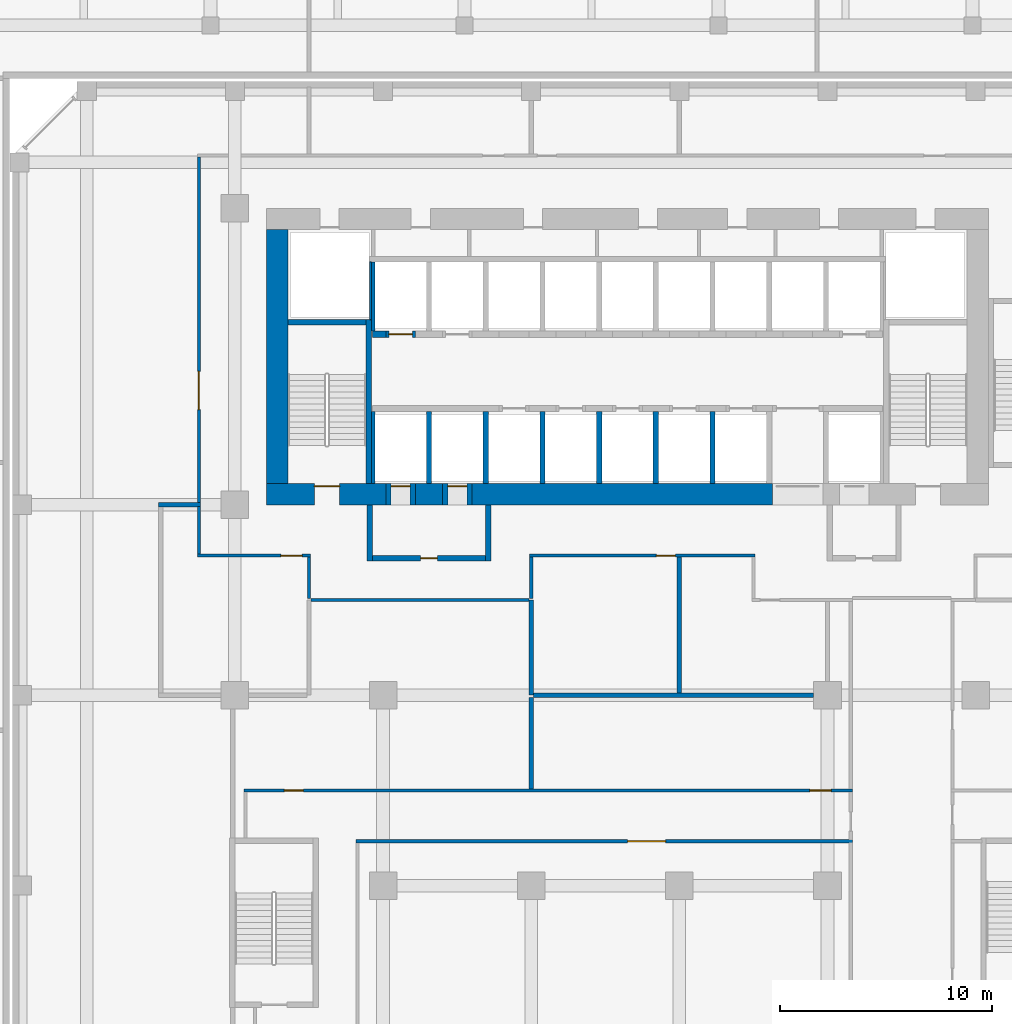
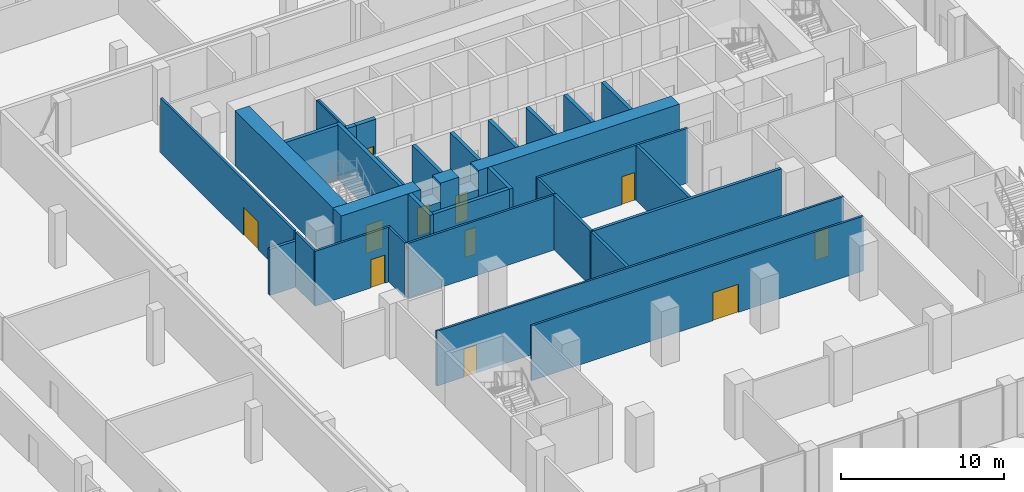
# One storey, part 21 of 38: 36 walls, 11 doors, 11 openings.
"""IFC4 building model written with IfcOpenShell, lengths in metres."""

from ifc_helpers import new_model, si_unit, direction, frame, frame_2d, origin, place, context, subcontext, project, spatial, rectangle, extrude, source, transform, mapped, material, layer, layer_set, type_object, element, fill, save


model = new_model("IFC4")

# Units and contexts
model_context = context("Model", 3, precision=1e-05, world=origin(), true_north=direction((0.0, 1.0)))
body_context = subcontext(model_context, "Body", "Model", "MODEL_VIEW")
ifc_project = project(units=[si_unit("LENGTHUNIT", "METRE"), si_unit("AREAUNIT", "SQUARE_METRE"), si_unit("VOLUMEUNIT", "CUBIC_METRE"), si_unit("PLANEANGLEUNIT", "RADIAN"), si_unit("MASSUNIT", "GRAM", prefix="KILO")], contexts=[model_context])

# Site, building, storey
site_placement = place(None, origin())
site = spatial("IfcSite", under=ifc_project, at=site_placement, CompositionType="ELEMENT")
building_placement = place(site_placement, origin())
building = spatial("IfcBuilding", under=site, at=building_placement, Name="Kilnfold Tower and Market Hall", CompositionType="ELEMENT")
storey_placement = place(building_placement, frame((0.0, 0.0, 9.0)))
storey = spatial("IfcBuildingStorey", under=building, at=storey_placement, Name="L01", CompositionType="ELEMENT", Elevation=9.0)

# Wall, opening, door
ifc_material_1 = material(Name="Gypsum board on steel studs", Category="steel")
ifc_layer_1 = layer(ifc_material_1, 0.14990234375)
ifc_layer_set_1 = layer_set([ifc_layer_1], Name="Gypsum board on steel studs")
wall_type_1 = type_object("IfcWallType", Name="WALL CORRIDOR 150", PredefinedType="PARTITIONING", material=ifc_layer_set_1)
wall_1_placement = place(storey_placement, frame((-11.77490234375, -7.89990234375, 0.0), z_axis=(0.0, 0.0, 1.0), x_axis=(1.0, 0.0, 0.0)))
wall_1 = element("IfcWall", 1, at=wall_1_placement, inside=storey, type_object=wall_type_1, Name="Partition LY02.19", PredefinedType="PARTITIONING", context=body_context, shape_type="SweptSolid", body=[
    extrude(rectangle(XDim=23.449951171875, YDim=0.14990234375, at=frame_2d((11.72509765625, 0.0))), origin(), (0.0, 0.0, 1.0), 4.10009765625),
])
opening_1_placement = place(wall_1_placement, frame((12.830078125, 0.0, 0.0)))
opening_1 = element("IfcOpeningElement", 2, at=opening_1_placement, cuts=wall_1, Name="Opening D5", PredefinedType="OPENING", context=body_context, shape_type="SweptSolid", body=[
    extrude(rectangle(XDim=1.800048828125, YDim=2.10009765625, at=frame_2d((0.89990234375, 1.050048828125))), frame((0.0, 0.0849609375, 0.0), z_axis=(0.0, -1.0, 0.0), x_axis=(1.0, 0.0, 0.0)), (0.0, 0.0, 1.0), 0.169921875),
])
ifc_material_2 = material(Name="Timber veneer door leaf in steel frame", Category="steel")
door_type_1 = type_object("IfcDoorType", Name="DOOR DOUBLE 1800 X2100", OperationType="NOTDEFINED", PredefinedType="DOOR", material=ifc_material_2)
door_1_placement = place(opening_1_placement, origin())
door_1 = element("IfcDoor", 3, at=door_1_placement, inside=storey, type_object=door_type_1, Name="Door D5", OperationType="DOUBLE_DOOR_SINGLE_SWING", OverallHeight=2.10009765625, OverallWidth=1.800048828125, PredefinedType="DOOR", context=body_context, shape_type="SweptSolid", body=[
    extrude(rectangle(XDim=1.800048828125, YDim=2.10009765625, at=frame_2d((0.89990234375, 1.050048828125))), frame((0.0, 0.02490234375, 0.0), z_axis=(0.0, -1.0, 0.0), x_axis=(1.0, 0.0, 0.0)), (0.0, 0.0, 1.0), 0.050048828125),
])
fill(opening_1, door_1)

# Wall, openings, doors
wall_2_placement = place(storey_placement, frame((-17.074951171875, -5.5, 0.0), z_axis=(0.0, 0.0, 1.0), x_axis=(1.0, 0.0, 0.0)))
wall_2 = element("IfcWall", 4, at=wall_2_placement, inside=storey, type_object=wall_type_1, Name="Partition LY02.24", PredefinedType="PARTITIONING", context=body_context, shape_type="SweptSolid", body=[
    extrude(rectangle(XDim=28.75, YDim=0.14990234375, at=frame_2d((14.375, 0.0))), origin(), (0.0, 0.0, 1.0), 4.10009765625),
])
opening_2_placement = place(wall_2_placement, frame((1.912109375, 0.0, 0.0)))
opening_2 = element("IfcOpeningElement", 5, at=opening_2_placement, cuts=wall_2, Name="Opening D2", PredefinedType="OPENING", context=body_context, shape_type="SweptSolid", body=[
    extrude(rectangle(XDim=0.89990234375, YDim=2.10009765625, at=frame_2d((0.449951171875, 1.050048828125))), frame((0.0, 0.0849609375, 0.0), z_axis=(0.0, -1.0, 0.0), x_axis=(1.0, 0.0, 0.0)), (0.0, 0.0, 1.0), 0.169921875),
])
opening_3_placement = place(wall_2_placement, frame((26.7451171875, 0.0, 0.0)))
opening_3 = element("IfcOpeningElement", 6, at=opening_3_placement, cuts=wall_2, Name="Opening D1", PredefinedType="OPENING", context=body_context, shape_type="SweptSolid", body=[
    extrude(rectangle(XDim=1.0, YDim=2.10009765625, at=frame_2d((0.5, 1.050048828125))), frame((0.0, 0.0849609375, 0.0), z_axis=(0.0, -1.0, 0.0), x_axis=(1.0, 0.0, 0.0)), (0.0, 0.0, 1.0), 0.169921875),
])
ifc_material_3 = material(Name="Timber veneer door leaf in steel frame", Category="steel")
door_type_2 = type_object("IfcDoorType", Name="DOOR ENTRY 1000 X2100", OperationType="NOTDEFINED", PredefinedType="DOOR", material=ifc_material_3)
door_2_placement = place(opening_3_placement, origin())
door_2 = element("IfcDoor", 7, at=door_2_placement, inside=storey, type_object=door_type_2, Name="Door D1", OperationType="SINGLE_SWING_LEFT", OverallHeight=2.10009765625, OverallWidth=1.0, PredefinedType="DOOR", context=body_context, shape_type="SweptSolid", body=[
    extrude(rectangle(XDim=1.0, YDim=2.10009765625, at=frame_2d((0.5, 1.050048828125))), frame((0.0, 0.02490234375, 0.0), z_axis=(0.0, -1.0, 0.0), x_axis=(1.0, 0.0, 0.0)), (0.0, 0.0, 1.0), 0.050048828125),
])
fill(opening_3, door_2)
ifc_material_4 = material(Name="Timber veneer door leaf in steel frame", Category="steel")
door_type_3 = type_object("IfcDoorType", Name="DOOR ROOM 900 X2100", OperationType="NOTDEFINED", PredefinedType="DOOR", material=ifc_material_4)
door_3_placement = place(opening_2_placement, origin())
door_3 = element("IfcDoor", 8, at=door_3_placement, inside=storey, type_object=door_type_3, Name="Door D2", OperationType="SINGLE_SWING_RIGHT", OverallHeight=2.10009765625, OverallWidth=0.89990234375, PredefinedType="DOOR", context=body_context, shape_type="SweptSolid", body=[
    extrude(rectangle(XDim=0.89990234375, YDim=2.10009765625, at=frame_2d((0.449951171875, 1.050048828125))), frame((0.0, 0.02490234375, 0.0), z_axis=(0.0, -1.0, 0.0), x_axis=(1.0, 0.0, 0.0)), (0.0, 0.0, 1.0), 0.050048828125),
])
fill(opening_2, door_3)

# Wall, opening, door
wall_3_placement = place(storey_placement, frame((-19.199951171875, 8.090087890625, 0.0), z_axis=(0.0, 0.0, 1.0), x_axis=(0.0, 1.0, 0.0)))
wall_3 = element("IfcWall", 9, at=wall_3_placement, inside=storey, type_object=wall_type_1, Name="Partition LY02.27", PredefinedType="PARTITIONING", context=body_context, shape_type="SweptSolid", body=[
    extrude(rectangle(XDim=16.3349609375, YDim=0.14990234375, at=frame_2d((8.16748046875, 0.0))), origin(), (0.0, 0.0, 1.0), 4.10009765625),
])
opening_4_placement = place(wall_3_placement, frame((4.409912109375, 0.0, 0.0)))
opening_4 = element("IfcOpeningElement", 10, at=opening_4_placement, cuts=wall_3, Name="Opening D5", PredefinedType="OPENING", context=body_context, shape_type="SweptSolid", body=[
    extrude(rectangle(XDim=1.800048828125, YDim=2.10009765625, at=frame_2d((0.89990234375, 1.050048828125))), frame((0.0, 0.0849609375, 0.0), z_axis=(0.0, -1.0, 0.0), x_axis=(1.0, 0.0, 0.0)), (0.0, 0.0, 1.0), 0.169921875),
])
door_4_placement = place(opening_4_placement, origin())
door_4 = element("IfcDoor", 11, at=door_4_placement, inside=storey, type_object=door_type_1, Name="Door D5", OperationType="DOUBLE_DOOR_SINGLE_SWING", OverallHeight=2.10009765625, OverallWidth=1.800048828125, PredefinedType="DOOR", context=body_context, shape_type="SweptSolid", body=[
    extrude(rectangle(XDim=1.800048828125, YDim=2.10009765625, at=frame_2d((0.89990234375, 1.050048828125))), frame((0.0, 0.02490234375, 0.0), z_axis=(0.0, -1.0, 0.0), x_axis=(1.0, 0.0, 0.0)), (0.0, 0.0, 1.0), 0.050048828125),
])
fill(opening_4, door_4)

# Wall
wall_4_placement = place(storey_placement, frame((-14.0, 5.52490234375, 0.0), z_axis=(0.0, 0.0, 1.0), x_axis=(0.0, -1.0, 0.0)))
element("IfcWall", 12, at=wall_4_placement, inside=storey, type_object=wall_type_1, Name="Partition LY02.29", PredefinedType="PARTITIONING", context=body_context, shape_type="SweptSolid", body=[
    extrude(rectangle(XDim=1.949951171875, YDim=0.14990234375, at=frame_2d((0.97509765625, 0.0))), origin(), (0.0, 0.0, 1.0), 4.10009765625),
])

# Wall, opening, door
wall_5_placement = place(storey_placement, frame((-19.27490234375, 5.60009765625, 0.0), z_axis=(0.0, 0.0, 1.0), x_axis=(1.0, 0.0, 0.0)))
wall_5 = element("IfcWall", 13, at=wall_5_placement, inside=storey, type_object=wall_type_1, Name="Partition LY02.30", PredefinedType="PARTITIONING", context=body_context, shape_type="SweptSolid", body=[
    extrude(rectangle(XDim=5.349853515625, YDim=0.14990234375, at=frame_2d((2.6748046875, 0.0))), origin(), (0.0, 0.0, 1.0), 4.10009765625),
])
opening_5_placement = place(wall_5_placement, frame((3.947021484375, 0.0, 0.0)))
opening_5 = element("IfcOpeningElement", 14, at=opening_5_placement, cuts=wall_5, Name="Opening D1", PredefinedType="OPENING", context=body_context, shape_type="SweptSolid", body=[
    extrude(rectangle(XDim=1.0, YDim=2.10009765625, at=frame_2d((0.5, 1.050048828125))), frame((0.0, 0.0849609375, 0.0), z_axis=(0.0, -1.0, 0.0), x_axis=(1.0, 0.0, 0.0)), (0.0, 0.0, 1.0), 0.169921875),
])
door_5_placement = place(opening_5_placement, origin())
door_5 = element("IfcDoor", 15, at=door_5_placement, inside=storey, type_object=door_type_2, Name="Door D1", OperationType="SINGLE_SWING_RIGHT", OverallHeight=2.10009765625, OverallWidth=1.0, PredefinedType="DOOR", context=body_context, shape_type="SweptSolid", body=[
    extrude(rectangle(XDim=1.0, YDim=2.10009765625, at=frame_2d((0.5, 1.050048828125))), frame((0.0, 0.02490234375, 0.0), z_axis=(0.0, -1.0, 0.0), x_axis=(1.0, 0.0, 0.0)), (0.0, 0.0, 1.0), 0.050048828125),
])
fill(opening_5, door_5)

# Wall
wall_6_placement = place(storey_placement, frame((-19.199951171875, 5.675048828125, 0.0), z_axis=(0.0, 0.0, 1.0), x_axis=(0.0, 1.0, 0.0)))
element("IfcWall", 16, at=wall_6_placement, inside=storey, type_object=wall_type_1, Name="Partition LY02.31", PredefinedType="PARTITIONING", context=body_context, shape_type="SweptSolid", body=[
    extrude(rectangle(XDim=2.23486328125, YDim=0.14990234375, at=frame_2d((1.117431640625, 0.0))), origin(), (0.0, 0.0, 1.0), 4.10009765625),
])

# Wall, opening, door
wall_7_placement = place(storey_placement, frame((-3.574951171875, 5.60009765625, 0.0), z_axis=(0.0, 0.0, 1.0), x_axis=(1.0, 0.0, 0.0)))
wall_7 = element("IfcWall", 17, at=wall_7_placement, inside=storey, type_object=wall_type_1, Name="Partition LY02.32", PredefinedType="PARTITIONING", context=body_context, shape_type="SweptSolid", body=[
    extrude(rectangle(XDim=10.64990234375, YDim=0.14990234375, at=frame_2d((5.324951171875, 0.0))), origin(), (0.0, 0.0, 1.0), 4.10009765625),
])
opening_6_placement = place(wall_7_placement, frame((5.985107421875, 0.0, 0.0)))
opening_6 = element("IfcOpeningElement", 18, at=opening_6_placement, cuts=wall_7, Name="Opening D2", PredefinedType="OPENING", context=body_context, shape_type="SweptSolid", body=[
    extrude(rectangle(XDim=0.89990234375, YDim=2.10009765625, at=frame_2d((0.449951171875, 1.050048828125))), frame((0.0, 0.0849609375, 0.0), z_axis=(0.0, -1.0, 0.0), x_axis=(1.0, 0.0, 0.0)), (0.0, 0.0, 1.0), 0.169921875),
])
door_6_placement = place(opening_6_placement, origin())
door_6 = element("IfcDoor", 19, at=door_6_placement, inside=storey, type_object=door_type_3, Name="Door D2", OperationType="SINGLE_SWING_RIGHT", OverallHeight=2.10009765625, OverallWidth=0.89990234375, PredefinedType="DOOR", context=body_context, shape_type="SweptSolid", body=[
    extrude(rectangle(XDim=0.89990234375, YDim=2.10009765625, at=frame_2d((0.449951171875, 1.050048828125))), frame((0.0, 0.02490234375, 0.0), z_axis=(0.0, -1.0, 0.0), x_axis=(1.0, 0.0, 0.0)), (0.0, 0.0, 1.0), 0.050048828125),
])
fill(opening_6, door_6)

# Walls
wall_8_placement = place(storey_placement, frame((-3.5, 3.574951171875, 0.0), z_axis=(0.0, 0.0, 1.0), x_axis=(0.0, 1.0, 0.0)))
element("IfcWall", 20, at=wall_8_placement, inside=storey, type_object=wall_type_1, Name="Partition LY02.33", PredefinedType="PARTITIONING", context=body_context, shape_type="SweptSolid", body=[
    extrude(rectangle(XDim=1.949951171875, YDim=0.14990234375, at=frame_2d((0.97509765625, 0.0))), origin(), (0.0, 0.0, 1.0), 4.10009765625),
])
wall_9_placement = place(storey_placement, frame((-13.90087890625, 3.5, 0.0), z_axis=(0.0, 0.0, 1.0), x_axis=(1.0, 0.0, 0.0)))
element("IfcWall", 21, at=wall_9_placement, inside=storey, type_object=wall_type_1, Name="Partition LY02.42", PredefinedType="PARTITIONING", context=body_context, shape_type="SweptSolid", body=[
    extrude(rectangle(XDim=10.3017578125, YDim=0.14990234375, at=frame_2d((5.15087890625, 0.0))), origin(), (0.0, 0.0, 1.0), 4.10009765625),
])
ifc_material_5 = material(Name="Gypsum board on steel studs", Category="steel")
ifc_layer_2 = layer(ifc_material_5, 0.199951171875)
ifc_layer_set_2 = layer_set([ifc_layer_2], Name="Gypsum board on steel studs")
wall_type_2 = type_object("IfcWallType", Name="WALL PARTY 200", PredefinedType="PARTITIONING", material=ifc_layer_set_2)
wall_10_placement = place(storey_placement, frame((-21.09912109375, 8.0, 0.0), z_axis=(0.0, 0.0, 1.0), x_axis=(1.0, 0.0, 0.0)))
element("IfcWall", 22, at=wall_10_placement, inside=storey, type_object=wall_type_2, Name="Partition LY02.43", PredefinedType="PARTITIONING", context=body_context, shape_type="SweptSolid", body=[
    extrude(rectangle(XDim=1.97314453125, YDim=0.199951171875, at=frame_2d((0.986572265625, 0.0))), origin(), (0.0, 0.0, 1.0), 3.449951171875),
])
wall_11_placement = place(storey_placement, frame((3.5, -0.89990234375, 0.0), z_axis=(0.0, 0.0, 1.0), x_axis=(0.0, 1.0, 0.0)))
element("IfcWall", 23, at=wall_11_placement, inside=storey, type_object=wall_type_2, Name="Partition LY02.53", PredefinedType="PARTITIONING", context=body_context, shape_type="SweptSolid", body=[
    extrude(rectangle(XDim=6.423828125, YDim=0.199951171875, at=frame_2d((3.2119140625, 0.0))), origin(), (0.0, 0.0, 1.0), 4.10009765625),
])
wall_12_placement = place(storey_placement, frame((-3.39990234375, -1.0, 0.0), z_axis=(0.0, 0.0, 1.0), x_axis=(1.0, 0.0, 0.0)))
element("IfcWall", 24, at=wall_12_placement, inside=storey, type_object=wall_type_2, Name="Partition LY02.54", PredefinedType="PARTITIONING", context=body_context, shape_type="SweptSolid", body=[
    extrude(rectangle(XDim=13.25, YDim=0.199951171875, at=frame_2d((6.625, 0.0))), origin(), (0.0, 0.0, 1.0), 4.10009765625),
])
wall_13_placement = place(storey_placement, frame((-3.4990234375, 3.509033203125, 0.0), z_axis=(0.0, 0.0, 1.0), x_axis=(-0.000216579128, -0.999999976547, 0.0)))
element("IfcWall", 25, at=wall_13_placement, inside=storey, type_object=wall_type_2, Name="Partition LY02.55", PredefinedType="PARTITIONING", context=body_context, shape_type="SweptSolid", body=[
    extrude(rectangle(XDim=4.509033203125, YDim=0.199951171875, at=frame_2d((2.25439453125, 0.0))), origin(), (0.0, 0.0, 1.0), 4.10009765625),
])
wall_14_placement = place(storey_placement, frame((-3.5, -5.424072265625, 0.0), z_axis=(0.0, 0.0, 1.0), x_axis=(0.0, 1.0, 0.0)))
element("IfcWall", 26, at=wall_14_placement, inside=storey, type_object=wall_type_2, Name="Partition LY02.61", PredefinedType="PARTITIONING", context=body_context, shape_type="SweptSolid", body=[
    extrude(rectangle(XDim=4.323974609375, YDim=0.199951171875, at=frame_2d((2.162109375, 0.0))), origin(), (0.0, 0.0, 1.0), 4.10009765625),
])

# Wall, opening, door
ifc_material_6 = material(Name="Concrete C80", Category="concrete")
ifc_layer_3 = layer(ifc_material_6, 1.0)
ifc_layer_set_3 = layer_set([ifc_layer_3], Name="Concrete C80")
wall_type_3 = type_object("IfcWallType", Name="CORE WALL 1000 C80", PredefinedType="SHEAR", material=ifc_layer_set_3)
shared_shape_1 = source(origin(), body_context, "Body", "SweptSolid", [
    extrude(rectangle(XDim=5.6298828125, YDim=1.0, at=frame_2d((2.81494140625, 0.0))), origin(), (0.0, 0.0, 1.0), 4.10009765625),
])
wall_15_placement = place(storey_placement, frame((-16.0, 8.5, 0.0), z_axis=(0.0, 0.0, 1.0), x_axis=(1.0, 0.0, 0.0)))
wall_15 = element("IfcWall", 27, at=wall_15_placement, inside=storey, type_object=wall_type_3, Name="Core outer wall south", PredefinedType="SHEAR", context=body_context, shape_type="MappedRepresentation", body=[
    mapped(shared_shape_1, transform((0.0, 0.0, 0.0))),
])
opening_7_placement = place(wall_15_placement, frame((2.25, 0.0, 0.0)))
opening_7 = element("IfcOpeningElement", 28, at=opening_7_placement, cuts=wall_15, Name="Opening SD1", PredefinedType="OPENING", context=body_context, shape_type="SweptSolid", body=[
    extrude(rectangle(XDim=1.199951171875, YDim=2.10009765625, at=frame_2d((0.60009765625, 1.050048828125))), frame((0.0, 0.510009765625, 0.0), z_axis=(0.0, -1.0, 0.0), x_axis=(1.0, 0.0, 0.0)), (0.0, 0.0, 1.0), 1.02001953125),
])
ifc_material_7 = material(Name="Steel door set with fire-resisting leaf", Category="steel")
door_type_4 = type_object("IfcDoorType", Name="STAIR FLOOR DOOR 1200X2100", OperationType="NOTDEFINED", PredefinedType="DOOR", material=ifc_material_7)
door_7_placement = place(opening_7_placement, origin())
door_7 = element("IfcDoor", 29, at=door_7_placement, inside=storey, type_object=door_type_4, Name="Exit stair ST1 door", OperationType="DOUBLE_DOOR_SINGLE_SWING", OverallHeight=2.10009765625, OverallWidth=1.199951171875, PredefinedType="DOOR", context=body_context, shape_type="SweptSolid", body=[
    extrude(rectangle(XDim=1.199951171875, YDim=2.10009765625, at=frame_2d((0.60009765625, 1.050048828125))), frame((0.0, 0.40478515625, 0.0), z_axis=(0.0, -1.0, 0.0), x_axis=(1.0, 0.0, 0.0)), (0.0, 0.0, 1.0), 0.050048828125),
])
fill(opening_7, door_7)

# Walls
shared_shape_2 = source(origin(), body_context, "Body", "SweptSolid", [
    extrude(rectangle(XDim=1.280029296875, YDim=1.0, at=frame_2d((0.64013671875, 0.0))), origin(), (0.0, 0.0, 1.0), 4.10009765625),
])
wall_16_placement = place(storey_placement, frame((-8.969970703125, 8.5, 0.0), z_axis=(0.0, 0.0, 1.0), x_axis=(1.0, 0.0, 0.0)))
element("IfcWall", 30, at=wall_16_placement, inside=storey, type_object=wall_type_3, Name="Core outer wall south", PredefinedType="SHEAR", context=body_context, shape_type="MappedRepresentation", body=[
    mapped(shared_shape_2, transform((0.0, 0.0, 0.0))),
])
shared_shape_3 = source(origin(), body_context, "Body", "SweptSolid", [
    extrude(rectangle(XDim=14.179931640625, YDim=1.0, at=frame_2d((7.08984375, 0.0))), origin(), (0.0, 0.0, 1.0), 4.10009765625),
])
wall_17_placement = place(storey_placement, frame((-6.2900390625, 8.5, 0.0), z_axis=(0.0, 0.0, 1.0), x_axis=(1.0, 0.0, 0.0)))
element("IfcWall", 31, at=wall_17_placement, inside=storey, type_object=wall_type_3, Name="Core outer wall south", PredefinedType="SHEAR", context=body_context, shape_type="MappedRepresentation", body=[
    mapped(shared_shape_3, transform((0.0, 0.0, 0.0))),
])
shared_shape_4 = source(origin(), body_context, "Body", "SweptSolid", [
    extrude(rectangle(XDim=12.0, YDim=1.0, at=frame_2d((6.0, 0.0))), origin(), (0.0, 0.0, 1.0), 4.10009765625),
])
wall_18_placement = place(storey_placement, frame((-15.5, 9.0, 0.0), z_axis=(0.0, 0.0, 1.0), x_axis=(0.0, 1.0, 0.0)))
element("IfcWall", 32, at=wall_18_placement, inside=storey, type_object=wall_type_3, Name="Core outer wall west", PredefinedType="SHEAR", context=body_context, shape_type="MappedRepresentation", body=[
    mapped(shared_shape_4, transform((0.0, 0.0, 0.0))),
])
ifc_material_8 = material(Name="Concrete C80", Category="concrete")
ifc_layer_4 = layer(ifc_material_8, 0.25)
ifc_layer_set_4 = layer_set([ifc_layer_4], Name="Concrete C80")
wall_type_4 = type_object("IfcWallType", Name="CORE WALL 250 C80", PredefinedType="SHEAR", material=ifc_layer_set_4)
shared_shape_5 = source(origin(), body_context, "Body", "SweptSolid", [
    extrude(rectangle(XDim=7.75, YDim=0.25, at=frame_2d((3.875, 0.0))), origin(), (0.0, 0.0, 1.0), 4.10009765625),
])
wall_19_placement = place(storey_placement, frame((-11.175048828125, 9.0, 0.0), z_axis=(0.0, 0.0, 1.0), x_axis=(0.0, 1.0, 0.0)))
element("IfcWall", 33, at=wall_19_placement, inside=storey, type_object=wall_type_4, Name="Stair enclosure ST1", PredefinedType="SHEAR", context=body_context, shape_type="MappedRepresentation", body=[
    mapped(shared_shape_5, transform((0.0, 0.0, 0.0))),
])
shared_shape_6 = source(origin(), body_context, "Body", "SweptSolid", [
    extrude(rectangle(XDim=3.699951171875, YDim=0.25, at=frame_2d((1.85009765625, 0.0))), origin(), (0.0, 0.0, 1.0), 4.10009765625),
])
wall_20_placement = place(storey_placement, frame((-15.0, 16.625, 0.0), z_axis=(0.0, 0.0, 1.0), x_axis=(1.0, 0.0, 0.0)))
element("IfcWall", 34, at=wall_20_placement, inside=storey, type_object=wall_type_4, Name="Stair enclosure ST1", PredefinedType="SHEAR", context=body_context, shape_type="MappedRepresentation", body=[
    mapped(shared_shape_6, transform((0.0, 0.0, 0.0))),
])
ifc_material_9 = material(Name="Concrete C80", Category="concrete")
ifc_layer_5 = layer(ifc_material_9, 0.300048828125)
ifc_layer_set_5 = layer_set([ifc_layer_5], Name="Concrete C80")
wall_type_5 = type_object("IfcWallType", Name="CORE WALL 300 C80", PredefinedType="SHEAR", material=ifc_layer_set_5)
shared_shape_7 = source(origin(), body_context, "Body", "SweptSolid", [
    extrude(rectangle(XDim=0.639892578125, YDim=0.300048828125, at=frame_2d((0.31982421875, 0.0))), origin(), (0.0, 0.0, 1.0), 4.10009765625),
])
wall_21_placement = place(storey_placement, frame((-11.010009765625, 16.050048828125, 0.0), z_axis=(0.0, 0.0, 1.0), x_axis=(1.0, 0.0, 0.0)))
element("IfcWall", 35, at=wall_21_placement, inside=storey, type_object=wall_type_5, Name="Core spine wall", PredefinedType="SHEAR", context=body_context, shape_type="MappedRepresentation", body=[
    mapped(shared_shape_7, transform((0.0, 0.0, 0.0))),
])
ifc_material_10 = material(Name="Gypsum shaft wall system")
ifc_layer_6 = layer(ifc_material_10, 0.25)
ifc_layer_set_6 = layer_set([ifc_layer_6], Name="Gypsum shaft wall system")
wall_type_6 = type_object("IfcWallType", Name="LOBBY WALL 250", PredefinedType="PARTITIONING", material=ifc_layer_set_6)
shared_shape_8 = source(origin(), body_context, "Body", "SweptSolid", [
    extrude(rectangle(XDim=2.64990234375, YDim=0.25, at=frame_2d((1.324951171875, 0.0))), origin(), (0.0, 0.0, 1.0), 4.10009765625),
])
for number, where, z_axis, x_axis, name in (
    (36, (-11.135009765625, 5.35009765625, 0.0), (0.0, 0.0, 1.0), (0.0, 1.0, 0.0), "Firefighting lobby wall"),
    (37, (-5.52490234375, 5.35009765625, 0.0), (0.0, 0.0, 1.0), (0.0, 1.0, 0.0), "Firefighting lobby wall"),
):
    element("IfcWall", number, at=place(storey_placement, frame(where, z_axis=z_axis, x_axis=x_axis)), inside=storey, type_object=wall_type_6, Name=name, PredefinedType="PARTITIONING", context=body_context, shape_type="MappedRepresentation", body=[
        mapped(shared_shape_8, transform((0.0, 0.0, 0.0))),
    ])

# Wall, opening, door
shared_shape_9 = source(origin(), body_context, "Body", "SweptSolid", [
    extrude(rectangle(XDim=5.360107421875, YDim=0.25, at=frame_2d((2.68017578125, 0.0))), origin(), (0.0, 0.0, 1.0), 4.10009765625),
])
wall_22_placement = place(storey_placement, frame((-11.010009765625, 5.47509765625, 0.0), z_axis=(0.0, 0.0, 1.0), x_axis=(1.0, 0.0, 0.0)))
wall_22 = element("IfcWall", 38, at=wall_22_placement, inside=storey, type_object=wall_type_6, Name="Firefighting lobby wall", PredefinedType="PARTITIONING", context=body_context, shape_type="MappedRepresentation", body=[
    mapped(shared_shape_9, transform((0.0, 0.0, 0.0))),
])
opening_8_placement = place(wall_22_placement, frame((2.280029296875, 0.0, 0.0)))
opening_8 = element("IfcOpeningElement", 39, at=opening_8_placement, cuts=wall_22, Name="Opening VD1", PredefinedType="OPENING", context=body_context, shape_type="SweptSolid", body=[
    extrude(rectangle(XDim=0.800048828125, YDim=2.0, at=frame_2d((0.39990234375, 1.0))), frame((0.0, 0.135009765625, 0.0), z_axis=(0.0, -1.0, 0.0), x_axis=(1.0, 0.0, 0.0)), (0.0, 0.0, 1.0), 0.27001953125),
])
ifc_material_11 = material(Name="Steel door set with fire-resisting leaf", Category="steel")
door_type_5 = type_object("IfcDoorType", Name="FIREFIGHTING LOBBY DOOR 800X2000", OperationType="NOTDEFINED", PredefinedType="DOOR", material=ifc_material_11)
door_8_placement = place(opening_8_placement, origin())
door_8 = element("IfcDoor", 40, at=door_8_placement, inside=storey, type_object=door_type_5, Name="Firefighting lobby door", OperationType="SINGLE_SWING_LEFT", OverallHeight=2.0, OverallWidth=0.800048828125, PredefinedType="DOOR", context=body_context, shape_type="SweptSolid", body=[
    extrude(rectangle(XDim=0.800048828125, YDim=2.0, at=frame_2d((0.39990234375, 1.0))), frame((0.0, 0.02490234375, 0.0), z_axis=(0.0, -1.0, 0.0), x_axis=(1.0, 0.0, 0.0)), (0.0, 0.0, 1.0), 0.050048828125),
])
fill(opening_8, door_8)

# Walls
ifc_material_12 = material(Name="Gypsum shaft wall system")
ifc_layer_7 = layer(ifc_material_12, 0.25)
ifc_layer_set_7 = layer_set([ifc_layer_7], Name="Gypsum shaft wall system")
wall_type_7 = type_object("IfcWallType", Name="SHAFT WALL 250", PredefinedType="PARTITIONING", material=ifc_layer_set_7)
shared_shape_10 = source(origin(), body_context, "Body", "SweptSolid", [
    extrude(rectangle(XDim=3.39990234375, YDim=0.25, at=frame_2d((1.699951171875, 0.0))), origin(), (0.0, 0.0, 1.0), 4.10009765625),
])
for number, where, z_axis, x_axis, name in (
    (41, (2.389892578125, 9.0, 0.0), (0.0, 0.0, 1.0), (0.0, 1.0, 0.0), "Lift shaft wall"),
    (42, (5.070068359375, 9.0, 0.0), (0.0, 0.0, 1.0), (0.0, 1.0, 0.0), "Lift shaft wall"),
    (43, (-0.2900390625, 9.0, 0.0), (0.0, 0.0, 1.0), (0.0, 1.0, 0.0), "Lift shaft wall"),
    (44, (-2.969970703125, 9.0, 0.0), (0.0, 0.0, 1.0), (0.0, 1.0, 0.0), "Lift shaft wall"),
    (45, (-5.64990234375, 9.0, 0.0), (0.0, 0.0, 1.0), (0.0, 1.0, 0.0), "Lift shaft wall"),
    (46, (-8.330078125, 9.0, 0.0), (0.0, 0.0, 1.0), (0.0, 1.0, 0.0), "Lift shaft wall"),
):
    element("IfcWall", number, at=place(storey_placement, frame(where, z_axis=z_axis, x_axis=x_axis)), inside=storey, type_object=wall_type_7, Name=name, PredefinedType="PARTITIONING", context=body_context, shape_type="MappedRepresentation", body=[
        mapped(shared_shape_10, transform((0.0, 0.0, 0.0))),
    ])
ifc_material_13 = material(Name="Gypsum shaft wall system")
ifc_layer_8 = layer(ifc_material_13, 0.1650390625)
ifc_layer_set_8 = layer_set([ifc_layer_8], Name="Gypsum shaft wall system")
wall_type_8 = type_object("IfcWallType", Name="SHAFT WALL 165", PredefinedType="PARTITIONING", material=ifc_layer_set_8)
shared_shape_11 = source(origin(), body_context, "Body", "SweptSolid", [
    extrude(rectangle(XDim=3.39990234375, YDim=0.1650390625, at=frame_2d((1.699951171875, 0.0))), origin(), (0.0, 0.0, 1.0), 4.10009765625),
])
wall_23_placement = place(storey_placement, frame((-10.967529296875, 9.0, 0.0), z_axis=(0.0, 0.0, 1.0), x_axis=(0.0, 1.0, 0.0)))
element("IfcWall", 47, at=wall_23_placement, inside=storey, type_object=wall_type_8, Name="Lift shaft wall", PredefinedType="PARTITIONING", context=body_context, shape_type="MappedRepresentation", body=[
    mapped(shared_shape_11, transform((0.0, 0.0, 0.0))),
])

# Wall, opening, door
ifc_material_14 = material(Name="Gypsum shaft wall system")
ifc_layer_9 = layer(ifc_material_14, 1.0)
ifc_layer_set_9 = layer_set([ifc_layer_9], Name="Gypsum shaft wall system")
wall_type_9 = type_object("IfcWallType", Name="LOBBY WALL 1000", PredefinedType="PARTITIONING", material=ifc_layer_set_9)
shared_shape_12 = source(origin(), body_context, "Body", "SweptSolid", [
    extrude(rectangle(XDim=1.400146484375, YDim=1.0, at=frame_2d((0.7001953125, 0.0))), origin(), (0.0, 0.0, 1.0), 2.699951171875),
])
wall_24_placement = place(storey_placement, frame((-10.3701171875, 8.5, 0.0), z_axis=(0.0, 0.0, 1.0), x_axis=(1.0, 0.0, 0.0)))
wall_24 = element("IfcWall", 48, at=wall_24_placement, inside=storey, type_object=wall_type_9, Name="Core wall infill", PredefinedType="PARTITIONING", context=body_context, shape_type="MappedRepresentation", body=[
    mapped(shared_shape_12, transform((0.0, 0.0, 0.0))),
])
opening_9_placement = place(wall_24_placement, frame((0.25, 0.0, 0.0)))
opening_9 = element("IfcOpeningElement", 49, at=opening_9_placement, cuts=wall_24, Name="Opening LD1", PredefinedType="OPENING", context=body_context, shape_type="SweptSolid", body=[
    extrude(rectangle(XDim=0.89990234375, YDim=2.10009765625, at=frame_2d((0.449951171875, 1.050048828125))), frame((0.0, 0.510009765625, 0.0), z_axis=(0.0, -1.0, 0.0), x_axis=(1.0, 0.0, 0.0)), (0.0, 0.0, 1.0), 1.02001953125),
])
ifc_material_15 = material(Name="Steel door set with fire-resisting leaf", Category="steel")
door_type_6 = type_object("IfcDoorType", Name="FIREFIGHTING LANDING DOOR 900X2100", OperationType="NOTDEFINED", PredefinedType="DOOR", material=ifc_material_15)
door_9_placement = place(opening_9_placement, origin())
door_9 = element("IfcDoor", 50, at=door_9_placement, inside=storey, type_object=door_type_6, Name="Landing door FF1", OperationType="SLIDING_TO_LEFT", OverallHeight=2.10009765625, OverallWidth=0.89990234375, PredefinedType="DOOR", context=body_context, shape_type="SweptSolid", body=[
    extrude(rectangle(XDim=0.89990234375, YDim=2.10009765625, at=frame_2d((0.449951171875, 1.050048828125))), frame((0.0, 0.40478515625, 0.0), z_axis=(0.0, -1.0, 0.0), x_axis=(1.0, 0.0, 0.0)), (0.0, 0.0, 1.0), 0.050048828125),
])
fill(opening_9, door_9)

shared_shape_13 = source(origin(), body_context, "Body", "SweptSolid", [
    extrude(rectangle(XDim=1.39990234375, YDim=1.0, at=frame_2d((0.699951171875, 0.0))), origin(), (0.0, 0.0, 1.0), 2.699951171875),
])
wall_25_placement = place(storey_placement, frame((-7.68994140625, 8.5, 0.0), z_axis=(0.0, 0.0, 1.0), x_axis=(1.0, 0.0, 0.0)))
wall_25 = element("IfcWall", 51, at=wall_25_placement, inside=storey, type_object=wall_type_9, Name="Core wall infill", PredefinedType="PARTITIONING", context=body_context, shape_type="MappedRepresentation", body=[
    mapped(shared_shape_13, transform((0.0, 0.0, 0.0))),
])
opening_10_placement = place(wall_25_placement, frame((0.25, 0.0, 0.0)))
opening_10 = element("IfcOpeningElement", 52, at=opening_10_placement, cuts=wall_25, Name="Opening LD1", PredefinedType="OPENING", context=body_context, shape_type="SweptSolid", body=[
    extrude(rectangle(XDim=0.89990234375, YDim=2.10009765625, at=frame_2d((0.449951171875, 1.050048828125))), frame((0.0, 0.510009765625, 0.0), z_axis=(0.0, -1.0, 0.0), x_axis=(1.0, 0.0, 0.0)), (0.0, 0.0, 1.0), 1.02001953125),
])
door_10_placement = place(opening_10_placement, origin())
door_10 = element("IfcDoor", 53, at=door_10_placement, inside=storey, type_object=door_type_6, Name="Landing door FF2", OperationType="SLIDING_TO_RIGHT", OverallHeight=2.10009765625, OverallWidth=0.89990234375, PredefinedType="DOOR", context=body_context, shape_type="SweptSolid", body=[
    extrude(rectangle(XDim=0.89990234375, YDim=2.10009765625, at=frame_2d((0.449951171875, 1.050048828125))), frame((0.0, 0.40478515625, 0.0), z_axis=(0.0, -1.0, 0.0), x_axis=(1.0, 0.0, 0.0)), (0.0, 0.0, 1.0), 0.050048828125),
])
fill(opening_10, door_10)

ifc_material_16 = material(Name="Gypsum shaft wall system")
ifc_layer_10 = layer(ifc_material_16, 0.300048828125)
ifc_layer_set_10 = layer_set([ifc_layer_10], Name="Gypsum shaft wall system")
wall_type_10 = type_object("IfcWallType", Name="SHAFT WALL 300", PredefinedType="PARTITIONING", material=ifc_layer_set_10)
shared_shape_14 = source(origin(), body_context, "Body", "SweptSolid", [
    extrude(rectangle(XDim=1.400146484375, YDim=0.300048828125, at=frame_2d((0.7001953125, 0.0))), origin(), (0.0, 0.0, 1.0), 4.10009765625),
])
wall_26_placement = place(storey_placement, frame((-10.3701171875, 16.050048828125, 0.0), z_axis=(0.0, 0.0, 1.0), x_axis=(1.0, 0.0, 0.0)))
wall_26 = element("IfcWall", 54, at=wall_26_placement, inside=storey, type_object=wall_type_10, Name="Lift shaft front wall", PredefinedType="PARTITIONING", context=body_context, shape_type="MappedRepresentation", body=[
    mapped(shared_shape_14, transform((0.0, 0.0, 0.0))),
])
opening_11_placement = place(wall_26_placement, frame((0.14990234375, 0.0, 0.0)))
opening_11 = element("IfcOpeningElement", 55, at=opening_11_placement, cuts=wall_26, Name="Opening LD2", PredefinedType="OPENING", context=body_context, shape_type="SweptSolid", body=[
    extrude(rectangle(XDim=1.10009765625, YDim=2.10009765625, at=frame_2d((0.550048828125, 1.050048828125))), frame((0.0, 0.16015625, 0.0), z_axis=(0.0, -1.0, 0.0), x_axis=(1.0, 0.0, 0.0)), (0.0, 0.0, 1.0), 0.320068359375),
])
ifc_material_17 = material(Name="Steel door set with fire-resisting leaf", Category="steel")
door_type_7 = type_object("IfcDoorType", Name="LANDING DOOR 1100X2100", OperationType="NOTDEFINED", PredefinedType="DOOR", material=ifc_material_17)
door_11_placement = place(opening_11_placement, origin())
door_11 = element("IfcDoor", 56, at=door_11_placement, inside=storey, type_object=door_type_7, Name="Landing door LR7", OperationType="DOUBLE_DOOR_SLIDING", OverallHeight=2.10009765625, OverallWidth=1.10009765625, PredefinedType="DOOR", context=body_context, shape_type="SweptSolid", body=[
    extrude(rectangle(XDim=1.10009765625, YDim=2.10009765625, at=frame_2d((0.550048828125, 1.050048828125))), frame((0.0, 0.02490234375, 0.0), z_axis=(0.0, -1.0, 0.0), x_axis=(1.0, 0.0, 0.0)), (0.0, 0.0, 1.0), 0.050048828125),
])
fill(opening_11, door_11)

# Walls
shared_shape_15 = source(origin(), body_context, "Body", "SweptSolid", [
    extrude(rectangle(XDim=3.275146484375, YDim=0.1650390625, at=frame_2d((1.6376953125, 0.0))), origin(), (0.0, 0.0, 1.0), 4.10009765625),
])
wall_27_placement = place(storey_placement, frame((-10.967529296875, 16.199951171875, 0.0), z_axis=(0.0, 0.0, 1.0), x_axis=(0.0, 1.0, 0.0)))
element("IfcWall", 57, at=wall_27_placement, inside=storey, type_object=wall_type_8, Name="Lift shaft wall", PredefinedType="PARTITIONING", context=body_context, shape_type="MappedRepresentation", body=[
    mapped(shared_shape_15, transform((0.0, 0.0, 0.0))),
])
ifc_material_18 = material(Name="Gypsum shaft wall system")
ifc_layer_11 = layer(ifc_material_18, 0.0849609375)
ifc_layer_set_11 = layer_set([ifc_layer_11], Name="Gypsum shaft wall system")
wall_type_11 = type_object("IfcWallType", Name="SHAFT WALL 85", PredefinedType="PARTITIONING", material=ifc_layer_set_11)
shared_shape_16 = source(origin(), body_context, "Body", "SweptSolid", [
    extrude(rectangle(XDim=2.72509765625, YDim=0.0849609375, at=frame_2d((1.362548828125, 0.0))), origin(), (0.0, 0.0, 1.0), 4.10009765625),
])
wall_28_placement = place(storey_placement, frame((-11.092529296875, 16.75, 0.0), z_axis=(0.0, 0.0, 1.0), x_axis=(0.0, 1.0, 0.0)))
element("IfcWall", 58, at=wall_28_placement, inside=storey, type_object=wall_type_11, Name="Lift shaft wall", PredefinedType="PARTITIONING", context=body_context, shape_type="MappedRepresentation", body=[
    mapped(shared_shape_16, transform((0.0, 0.0, 0.0))),
])

save(model, "model.ifc")
